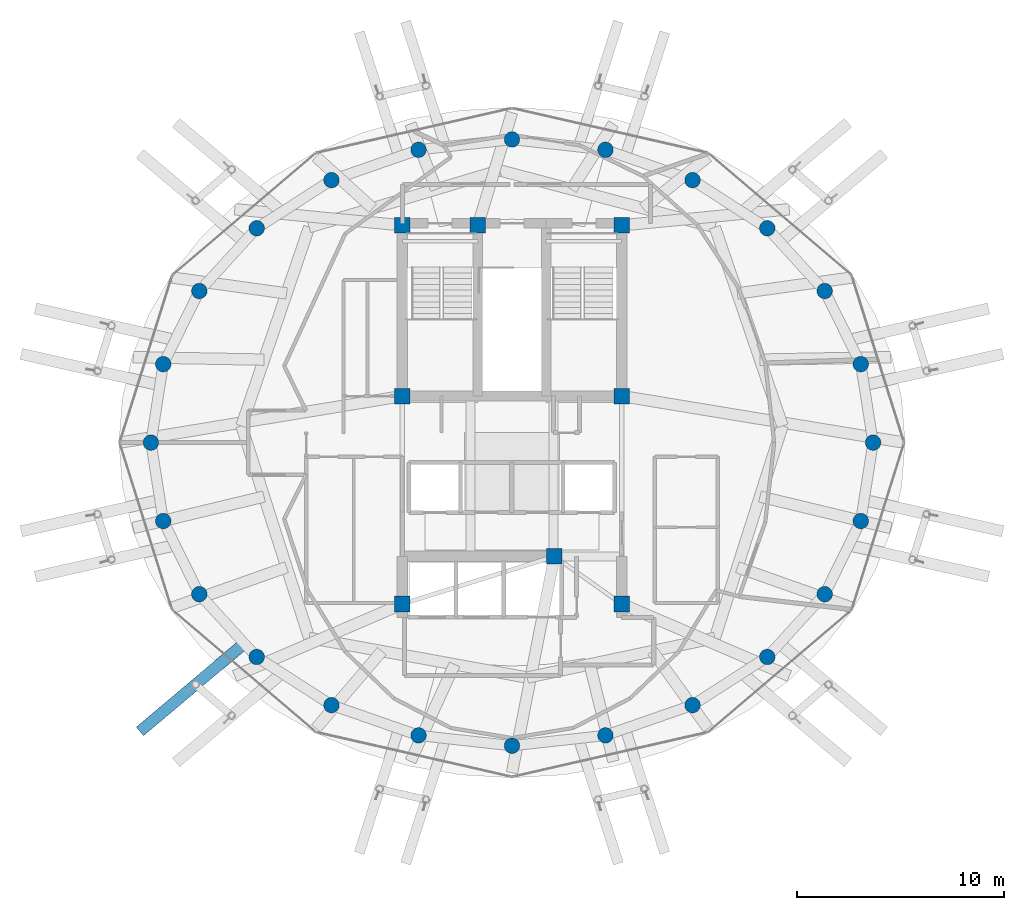
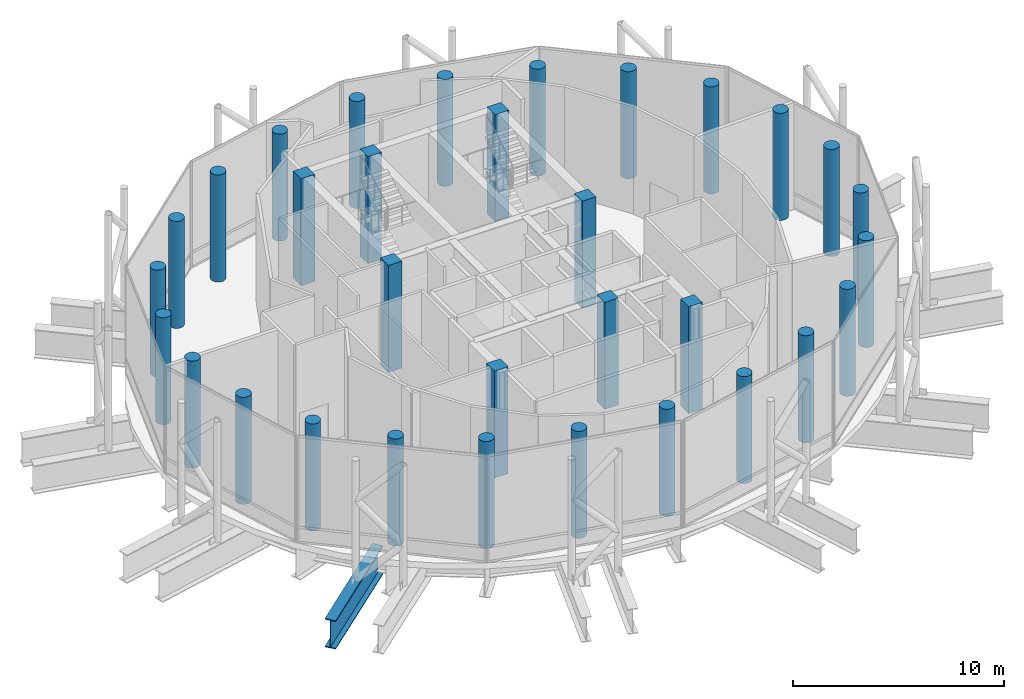
# One storey, part 1 of 26: 32 columns, 1 beam.
"""IFC4 building model written with IfcOpenShell, lengths in metres."""

import ifcopenshell
import ifcopenshell.guid

model = None  # the IFC model being written
_history = None  # IfcOwnerHistory: only IFC2X3 demands one
_inside = {}  # id of a spatial element -> (the spatial element, [elements in it])
_under = {}  # id of a project, library or spatial element -> (it, [spatial elements below it])
_declared = {}  # id of a project -> (the project, [libraries it declares])
_typed = {}  # id of a type object -> (the type object, [elements of that type])
_made_of = {}  # id of a material, layer set ... -> (it, [elements and type objects made of it])


def new_model(schema):
    """Start an empty IFC model of exactly this schema.

    Asked for "IFC4X3", IfcOpenShell would pick the latest addendum, in which some entities
    have other attributes; the version numbers below select the first issue.
    IFC2X3 requires an IfcOwnerHistory on every rooted entity: one is made here for all.
    """
    global model, _history
    if schema == "IFC4X3":
        model = ifcopenshell.file(schema_version=(4, 3, 0, 0))
    else:
        model = ifcopenshell.file(schema=schema)
    _inside.clear()
    _under.clear()
    _declared.clear()
    _typed.clear()
    _made_of.clear()
    _history = None
    if model.schema == "IFC2X3":
        org = make("IfcOrganization", Name="unknown")
        user = make(
            "IfcPersonAndOrganization",
            ThePerson=make("IfcPerson", FamilyName="unknown"),
            TheOrganization=org,
        )
        app = make(
            "IfcApplication",
            ApplicationDeveloper=org,
            Version="unknown",
            ApplicationFullName="unknown",
            ApplicationIdentifier="unknown",
        )
        _history = make(
            "IfcOwnerHistory",
            OwningUser=user,
            OwningApplication=app,
            ChangeAction="ADDED",
            CreationDate=0,
        )
    return model


def make(cls, **values):
    """One entity of the class cls with the attributes given. An attribute that is None is left unset."""
    return model.create_entity(
        cls, **{name: value for name, value in values.items() if value is not None}
    )


def rooted(cls, **values):
    """An entity with a GlobalId (a new one), such as an element, a storey or a relation."""
    return make(cls, GlobalId=ifcopenshell.guid.new(), OwnerHistory=_history, **values)


def si_unit(unit_type, name, prefix=None):
    """IfcSIUnit, for example si_unit("LENGTHUNIT", "METRE", prefix="MILLI")."""
    return make("IfcSIUnit", UnitType=unit_type, Prefix=prefix, Name=name)


def assignment(units):
    """IfcUnitAssignment: the units of a project."""
    return None if units is None else make("IfcUnitAssignment", Units=units)


def point(xyz):
    """IfcCartesianPoint."""
    return None if xyz is None else make("IfcCartesianPoint", Coordinates=xyz)


def direction(xyz):
    """IfcDirection."""
    return None if xyz is None else make("IfcDirection", DirectionRatios=xyz)


def frame(location, z_axis=None, x_axis=None):
    """IfcAxis2Placement3D, a coordinate frame: its origin and axes. An axis left out is left unset."""
    return make(
        "IfcAxis2Placement3D",
        Location=point(location),
        Axis=direction(z_axis),
        RefDirection=direction(x_axis),
    )


def frame_2d(location, x_axis=None):
    """IfcAxis2Placement2D, a coordinate frame in the plane: its origin and x axis."""
    return make(
        "IfcAxis2Placement2D", Location=point(location), RefDirection=direction(x_axis)
    )


def origin():
    """The frame at (0, 0, 0) with its axes left unset."""
    return frame((0.0, 0.0, 0.0))


def origin_2d():
    """The frame at (0, 0) in the plane with its x axis left unset."""
    return frame_2d((0.0, 0.0))


def place(relative_to, where):
    """IfcLocalPlacement: puts the frame where relative to a parent placement (None: the world)."""
    return make(
        "IfcLocalPlacement", PlacementRelTo=relative_to, RelativePlacement=where
    )


def context(
    kind, dimensions, precision=None, world=None, true_north=None, identifier=None
):
    """IfcGeometricRepresentationContext, for example the 3D "Model" context."""
    return make(
        "IfcGeometricRepresentationContext",
        ContextIdentifier=identifier,
        ContextType=kind,
        CoordinateSpaceDimension=dimensions,
        Precision=precision,
        WorldCoordinateSystem=world,
        TrueNorth=true_north,
    )


def subcontext(parent, identifier, kind, view, scale=None):
    """IfcGeometricRepresentationSubContext, for example "Body" below "Model"."""
    return make(
        "IfcGeometricRepresentationSubContext",
        ContextIdentifier=identifier,
        ContextType=kind,
        ParentContext=parent,
        TargetScale=scale,
        TargetView=view,
    )


def project(units=None, contexts=None):
    """IfcProject with its units and contexts."""
    return rooted(
        "IfcProject",
        Name="project",
        RepresentationContexts=contexts,
        UnitsInContext=assignment(units),
    )


def spatial(cls, under=None, at=None, **own):
    """A site, building, storey or space (cls), placed at a placement, below another one or the project."""
    s = rooted(cls, ObjectPlacement=at, **own)
    if under is not None:
        _under.setdefault(under.id(), (under, []))[1].append(s)
    return s


def profile(cls, at=None, kind="AREA", **sizes):
    """A parametric profile (cls). Its sizes go by their IFC names, for example OverallWidth=200.0."""
    return make(cls, ProfileType=kind, Position=at, **sizes)


def rectangle(**sizes):
    """IfcRectangleProfileDef."""
    return profile("IfcRectangleProfileDef", **sizes)


def circle(**sizes):
    """IfcCircleProfileDef."""
    return profile("IfcCircleProfileDef", **sizes)


def i_section(**sizes):
    """IfcIShapeProfileDef."""
    return profile("IfcIShapeProfileDef", **sizes)


def extrude(swept, where, along, depth):
    """IfcExtrudedAreaSolid: the profile swept, set in the frame where, extruded along a direction by depth."""
    return make(
        "IfcExtrudedAreaSolid",
        SweptArea=swept,
        Position=where,
        ExtrudedDirection=direction(along),
        Depth=depth,
    )


def shape(context_of_items, identifier, shape_type, items):
    """IfcShapeRepresentation: the items that make up one representation, for example the "Body"."""
    return make(
        "IfcShapeRepresentation",
        ContextOfItems=context_of_items,
        RepresentationIdentifier=identifier,
        RepresentationType=shape_type,
        Items=items,
    )


def material(Name=None, Category=None):
    """IfcMaterial."""
    return make("IfcMaterial", Name=Name, Category=Category)


def material_profile(
    of_material, cross_section, Name=None, Category=None, Priority=None
):
    """IfcMaterialProfile: a cross section and its material."""
    return make(
        "IfcMaterialProfile",
        Name=Name,
        Material=of_material,
        Profile=cross_section,
        Priority=Priority,
        Category=Category,
    )


def profile_set(profiles, Name=None, composite=None):
    """IfcMaterialProfileSet."""
    return make(
        "IfcMaterialProfileSet",
        Name=Name,
        MaterialProfiles=profiles,
        CompositeProfile=composite,
    )


def made_of(thing, what):
    """Note that an element or type object is made of a material, layer set ...; save() writes the relation."""
    if what is not None:
        _made_of.setdefault(what.id(), (what, []))[1].append(thing)
    return thing


def type_object(cls, material=None, **own):
    """A type object (cls), such as IfcWallType, which elements share."""
    return made_of(rooted(cls, **own), material)


def element(
    cls,
    number,
    at=None,
    inside=None,
    cuts=None,
    type_object=None,
    material=None,
    context=None,
    identifier="Body",
    shape_type=None,
    held_by="IfcProductDefinitionShape",
    body=None,
    shapes=None,
    **own,
):
    """One element of the class cls, such as IfcWall. Its Tag is "e" and its number.

    at: its placement. inside: the storey or other place that contains it. cuts: it is an
    opening in that element (IfcRelVoidsElement). A single representation is given by context,
    identifier, shape_type and body (its items); several are given by shapes. held_by: the class
    of the entity that holds the representations. save() writes the other relations.
    """
    e = rooted(cls, Tag="e%d" % number, ObjectPlacement=at, **own)
    if body is not None:
        shapes = [shape(context, identifier, shape_type, body)]
    if shapes is not None:
        e.Representation = make(held_by, Representations=shapes)
    if inside is not None:
        _inside.setdefault(inside.id(), (inside, []))[1].append(e)
    if cuts is not None:
        rooted(
            "IfcRelVoidsElement", RelatingBuildingElement=cuts, RelatedOpeningElement=e
        )
    if type_object is not None:
        _typed.setdefault(type_object.id(), (type_object, []))[1].append(e)
    return made_of(e, material)


def aggregate(whole, parts):
    """IfcRelAggregates: a whole, such as a stair, and the parts it consists of."""
    return rooted("IfcRelAggregates", RelatingObject=whole, RelatedObjects=parts)


def save(model, path):
    """Write the relations noted so far, then the file.

    IfcRelAggregates (storeys below a building ...), IfcRelContainedInSpatialStructure (elements
    in a storey), IfcRelDefinesByType, IfcRelAssociatesMaterial and IfcRelDeclares: one each for
    every whole, place, type object, material and project.
    """
    for whole, parts in _under.values():
        aggregate(whole, parts)
    for where, things in _inside.values():
        rooted(
            "IfcRelContainedInSpatialStructure",
            RelatedElements=things,
            RelatingStructure=where,
        )
    for kind, things in _typed.values():
        rooted("IfcRelDefinesByType", RelatedObjects=things, RelatingType=kind)
    for what, things in _made_of.values():
        rooted("IfcRelAssociatesMaterial", RelatedObjects=things, RelatingMaterial=what)
    for by, libraries in _declared.values():
        rooted("IfcRelDeclares", RelatingContext=by, RelatedDefinitions=libraries)
    model.write(path)


model = new_model("IFC4")

# Units and contexts
model_context = context("Model", 3, precision=1e-05, world=origin(), true_north=direction((0.0, 1.0)))
body_context = subcontext(model_context, "Body", "Model", "MODEL_VIEW")
ifc_project = project(units=[si_unit("LENGTHUNIT", "METRE"), si_unit("AREAUNIT", "SQUARE_METRE"), si_unit("VOLUMEUNIT", "CUBIC_METRE"), si_unit("PLANEANGLEUNIT", "RADIAN"), si_unit("MASSUNIT", "GRAM", prefix="KILO")], contexts=[model_context])

# Site, building, storey
site_placement = place(None, origin())
site = spatial("IfcSite", under=ifc_project, at=site_placement, CompositionType="ELEMENT")
building_placement = place(site_placement, origin())
building = spatial("IfcBuilding", under=site, at=building_placement, Name="Nuhasar Tower", CompositionType="ELEMENT")
storey_placement = place(building_placement, frame((0.0, 0.0, 306.800048828125)))
storey = spatial("IfcBuildingStorey", under=building, at=storey_placement, Name="L76", CompositionType="ELEMENT", Elevation=306.800048828125)

# Columns
ifc_material_1 = material(Name="Concrete C50/60", Category="concrete")
ifc_material_profile_1 = material_profile(ifc_material_1, circle(Radius=0.375, at=origin_2d()), Name="CFT750")
ifc_profile_set_1 = profile_set([ifc_material_profile_1], Name="Concrete C50/60")
column_type_1 = type_object("IfcColumnType", Name="COL-CFT-750", PredefinedType="COLUMN", material=ifc_profile_set_1)
for number, where, z_axis, x_axis, name in (
    (1, (56.449951171875, 26.800048828125, 0.0), (0.0, 0.0, 1.0), (1.0, 0.0, 0.0), "L76 Perimeter Composite Column TC-01"),
    (2, (55.85498046875, 30.592041015625, 0.0), (0.0, 0.0, 1.0), (1.0, 0.0, 0.0), "L76 Perimeter Composite Column TC-02"),
    (3, (54.112060546875, 34.125, 0.0), (0.0, 0.0, 1.0), (1.0, 0.0, 0.0), "L76 Perimeter Composite Column TC-03"),
    (4, (51.339111328125, 37.158935546875, 0.0), (0.0, 0.0, 1.0), (1.0, 0.0, 0.0), "L76 Perimeter Composite Column TC-04"),
    (5, (47.72509765625, 39.487060546875, 0.0), (0.0, 0.0, 1.0), (1.0, 0.0, 0.0), "L76 Perimeter Composite Column TC-05"),
    (6, (43.51611328125, 40.950927734375, 0.0), (0.0, 0.0, 1.0), (1.0, 0.0, 0.0), "L76 Perimeter Composite Column TC-06"),
    (7, (39.0, 41.449951171875, 0.0), (0.0, 0.0, 1.0), (1.0, 0.0, 0.0), "L76 Perimeter Composite Column TC-07"),
    (8, (34.48388671875, 40.950927734375, 0.0), (0.0, 0.0, 1.0), (1.0, 0.0, 0.0), "L76 Perimeter Composite Column TC-08"),
    (9, (30.27490234375, 39.487060546875, 0.0), (0.0, 0.0, 1.0), (1.0, 0.0, 0.0), "L76 Perimeter Composite Column TC-09"),
    (10, (26.660888671875, 37.158935546875, 0.0), (0.0, 0.0, 1.0), (1.0, 0.0, 0.0), "L76 Perimeter Composite Column TC-10"),
    (11, (23.887939453125, 34.125, 0.0), (0.0, 0.0, 1.0), (1.0, 0.0, 0.0), "L76 Perimeter Composite Column TC-11"),
    (12, (22.14501953125, 30.592041015625, 0.0), (0.0, 0.0, 1.0), (1.0, 0.0, 0.0), "L76 Perimeter Composite Column TC-12"),
    (13, (21.550048828125, 26.800048828125, 0.0), (0.0, 0.0, 1.0), (1.0, 0.0, 0.0), "L76 Perimeter Composite Column TC-13"),
    (14, (22.14501953125, 23.008056640625, 0.0), (0.0, 0.0, 1.0), (1.0, 0.0, 0.0), "L76 Perimeter Composite Column TC-14"),
    (15, (23.887939453125, 19.47509765625, 0.0), (0.0, 0.0, 1.0), (1.0, 0.0, 0.0), "L76 Perimeter Composite Column TC-15"),
    (16, (26.660888671875, 16.44091796875, 0.0), (0.0, 0.0, 1.0), (1.0, 0.0, 0.0), "L76 Perimeter Composite Column TC-16"),
    (17, (30.27490234375, 14.113037109375, 0.0), (0.0, 0.0, 1.0), (1.0, 0.0, 0.0), "L76 Perimeter Composite Column TC-17"),
    (18, (34.48388671875, 12.64892578125, 0.0), (0.0, 0.0, 1.0), (1.0, 0.0, 0.0), "L76 Perimeter Composite Column TC-18"),
    (19, (39.0, 12.14990234375, 0.0), (0.0, 0.0, 1.0), (1.0, 0.0, 0.0), "L76 Perimeter Composite Column TC-19"),
    (20, (43.51611328125, 12.64892578125, 0.0), (0.0, 0.0, 1.0), (1.0, 0.0, 0.0), "L76 Perimeter Composite Column TC-20"),
    (21, (47.72509765625, 14.113037109375, 0.0), (0.0, 0.0, 1.0), (1.0, 0.0, 0.0), "L76 Perimeter Composite Column TC-21"),
    (22, (51.339111328125, 16.44091796875, 0.0), (0.0, 0.0, 1.0), (1.0, 0.0, 0.0), "L76 Perimeter Composite Column TC-22"),
    (23, (54.112060546875, 19.47509765625, 0.0), (0.0, 0.0, 1.0), (1.0, 0.0, 0.0), "L76 Perimeter Composite Column TC-23"),
    (24, (55.85498046875, 23.008056640625, 0.0), (0.0, 0.0, 1.0), (1.0, 0.0, 0.0), "L76 Perimeter Composite Column TC-24"),
):
    element("IfcColumn", number, at=place(storey_placement, frame(where, z_axis=z_axis, x_axis=x_axis)), inside=storey, type_object=column_type_1, Name=name, PredefinedType="COLUMN", context=body_context, shape_type="SweptSolid", body=[
        extrude(circle(Radius=0.375, at=origin_2d()), origin(), (0.0, 0.0, 1.0), 6.179931640625),
    ])
ifc_material_profile_2 = material_profile(ifc_material_1, rectangle(XDim=0.75, YDim=0.75, at=origin_2d()), Name="RC750X750")
ifc_profile_set_2 = profile_set([ifc_material_profile_2], Name="Concrete C50/60")
column_type_2 = type_object("IfcColumnType", Name="PIL-RC-750", PredefinedType="PILASTER", material=ifc_profile_set_2)
for number, where, z_axis, x_axis, name in (
    (25, (33.699951171875, 19.0, 0.0), (0.0, 0.0, 1.0), (1.0, 0.0, 0.0), "L76 Core Boundary Pilaster CC-01"),
    (26, (41.050048828125, 21.300048828125, 0.0), (0.0, 0.0, 1.0), (1.0, 0.0, 0.0), "L76 Core Boundary Pilaster CC-02"),
    (27, (44.300048828125, 19.0, 0.0), (0.0, 0.0, 1.0), (1.0, 0.0, 0.0), "L76 Core Boundary Pilaster CC-03"),
    (28, (44.300048828125, 29.050048828125, 0.0), (0.0, 0.0, 1.0), (1.0, 0.0, 0.0), "L76 Core Boundary Pilaster CC-04"),
    (29, (44.300048828125, 37.300048828125, 0.0), (0.0, 0.0, 1.0), (1.0, 0.0, 0.0), "L76 Core Boundary Pilaster CC-05"),
    (30, (37.35009765625, 37.300048828125, 0.0), (0.0, 0.0, 1.0), (1.0, 0.0, 0.0), "L76 Core Boundary Pilaster CC-06"),
    (31, (33.699951171875, 37.300048828125, 0.0), (0.0, 0.0, 1.0), (1.0, 0.0, 0.0), "L76 Core Boundary Pilaster CC-07"),
    (32, (33.699951171875, 29.050048828125, 0.0), (0.0, 0.0, 1.0), (1.0, 0.0, 0.0), "L76 Core Boundary Pilaster CC-08"),
):
    element("IfcColumn", number, at=place(storey_placement, frame(where, z_axis=z_axis, x_axis=x_axis)), inside=storey, type_object=column_type_2, Name=name, PredefinedType="PILASTER", context=body_context, shape_type="SweptSolid", body=[
        extrude(rectangle(XDim=0.75, YDim=0.75, at=origin_2d()), origin(), (0.0, 0.0, 1.0), 6.179931640625),
    ])

# Beam
ifc_material_2 = material(Name="Steel S460", Category="steel")
ifc_material_profile_3 = material_profile(ifc_material_2, i_section(OverallWidth=0.550048828125, OverallDepth=1.64990234375, WebThickness=0.031982421875, FlangeThickness=0.054931640625, at=origin_2d()), Name="PG1650X550")
ifc_profile_set_3 = profile_set([ifc_material_profile_3], Name="Steel S460")
beam_type = type_object("IfcBeamType", Name="BM-XFER-PG1650", PredefinedType="USERDEFINED", material=ifc_profile_set_3)
beam_placement = place(storey_placement, frame((26.06396484375, 17.093994140625, -1.175048828125), z_axis=(-0.764826777632, -0.644235981778, 0.0), x_axis=(0.644235981778, -0.764826777632, 0.0)))
element("IfcBeam", 33, at=beam_placement, inside=storey, type_object=beam_type, Name="L76 Exoskeleton Step Transfer Girder 15", ObjectType="GIRDER", PredefinedType="USERDEFINED", context=body_context, shape_type="SweptSolid", body=[
    extrude(i_section(OverallWidth=0.550048828125, OverallDepth=1.64990234375, WebThickness=0.031982421875, FlangeThickness=0.054931640625, at=origin_2d()), origin(), (0.0, 0.0, 1.0), 6.60009765625),
])

save(model, "model.ifc")
